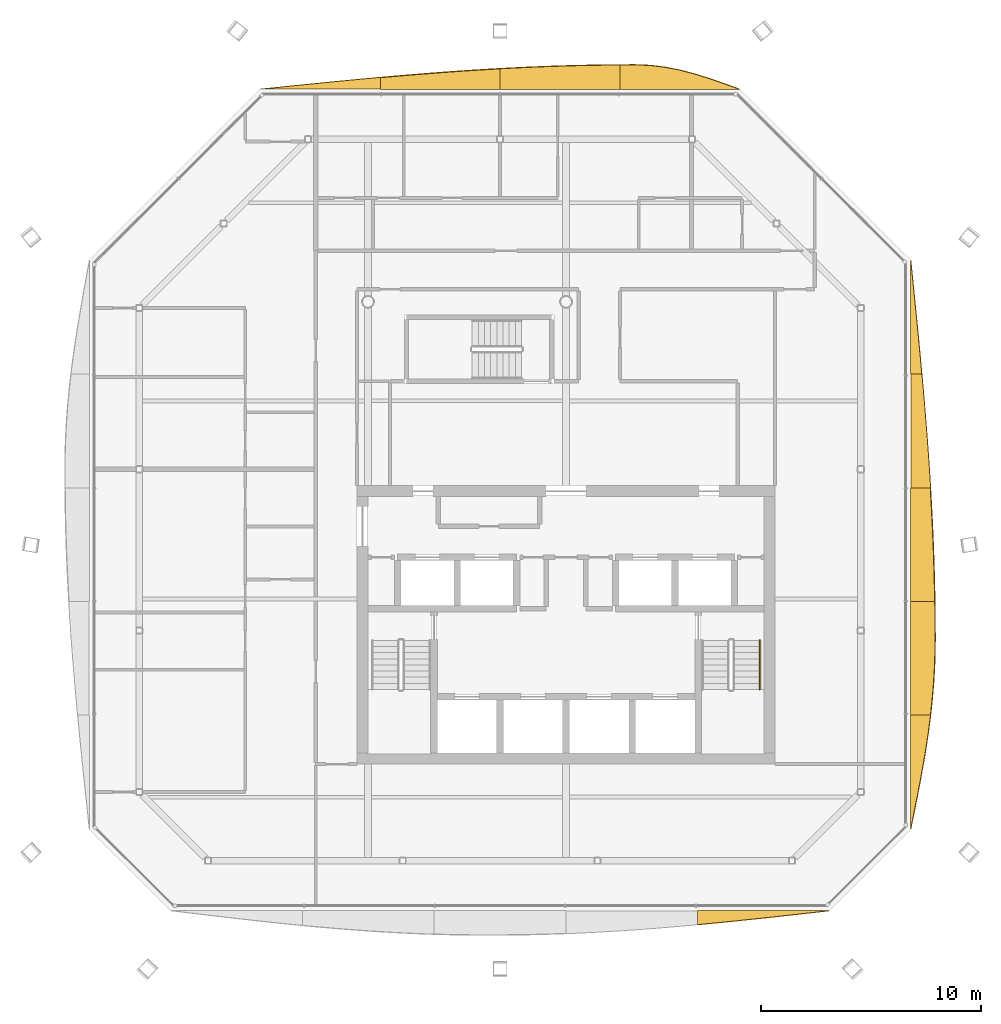
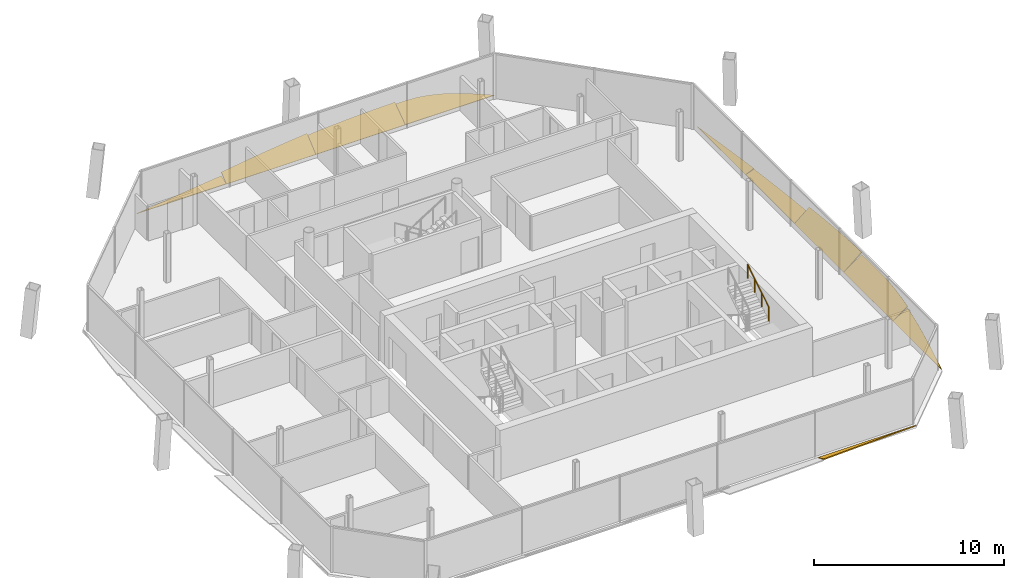
# One storey, part 17 of 17: 10 shading devices, 1 railing.
"""IFC4 building model written with IfcOpenShell, lengths in metres."""

from ifc_helpers import new_model, si_unit, direction, frame, origin, origin_2d, place, context, subcontext, project, spatial, polyline, circle, outline, extrude, material, layer, layer_set, type_object, element, save


model = new_model("IFC4")

# Units and contexts
model_context = context("Model", 3, precision=1e-05, world=origin(), true_north=direction((0.0, 1.0)))
body_context = subcontext(model_context, "Body", "Model", "MODEL_VIEW")
ifc_project = project(units=[si_unit("LENGTHUNIT", "METRE"), si_unit("AREAUNIT", "SQUARE_METRE"), si_unit("VOLUMEUNIT", "CUBIC_METRE"), si_unit("PLANEANGLEUNIT", "RADIAN"), si_unit("MASSUNIT", "GRAM", prefix="KILO")], contexts=[model_context])

# Site, building, storey
site_placement = place(None, origin())
site = spatial("IfcSite", under=ifc_project, at=site_placement, CompositionType="ELEMENT")
building_placement = place(site_placement, origin())
building = spatial("IfcBuilding", under=site, at=building_placement, Name="Tskaro Facet Tower", CompositionType="ELEMENT")
storey_placement = place(building_placement, frame((0.0, 0.0, 229.800048828125)))
storey = spatial("IfcBuildingStorey", under=building, at=storey_placement, Name="L59", CompositionType="ELEMENT", Elevation=229.800048828125)

# Shading devices
ifc_material_1 = material(Name="Bronze anodised aluminium 6063-T6", Category="aluminium")
ifc_layer = layer(ifc_material_1, 0.06005859375, Name="Bronze anodised aluminium 6063-T6")
ifc_layer_set = layer_set([ifc_layer], Name="Bronze anodised aluminium 6063-T6")
shading_device_type = type_object("IfcShadingDeviceType", Name="Bronze sun blade (FN1)", PredefinedType="USERDEFINED", material=ifc_layer_set)
shading_device_1_placement = place(storey_placement, frame((5.96875, -18.66162109375, 0.054443359375), z_axis=(-6.642649e-06, 0.422403980151, 0.906407677322), x_axis=(0.999999999978, 2.805881e-06, 6.020948e-06)))
element("IfcShadingDevice", 1, at=shading_device_1_placement, inside=storey, type_object=shading_device_type, Name="Fin blade south 5", ObjectType="FIN", PredefinedType="USERDEFINED", context=body_context, shape_type="SweptSolid", body=[
    extrude(outline(polyline([(0.0, 0.0), (5.979248046743083, 2.532310047754525e-21), (5.231933593962589, -0.09294865466036126), (4.484374999772172, -0.1855728924121526), (3.737060546691981, -0.2768844235362508), (2.9897460933120934, -0.3665588311240859), (2.242187499692545, -0.45437482423880676), (1.494873047668456, -0.5395654040981412), (0.7475585935750159, -0.6213786109132309), (-2.7285326324970186e-10, -0.7000206966275131), (0.0, 0.0)])), origin(), (0.0, 0.0, -1.0), 0.06005859375),
])
shading_device_2_placement = place(storey_placement, frame((15.656982421875, -14.947998046875, 0.052001953125), z_axis=(-0.499859158229, -7.948533e-06, 0.866106703514), x_axis=(-3.973147e-06, 0.999999999968, 6.884278e-06)))
element("IfcShadingDevice", 2, at=shading_device_2_placement, inside=storey, type_object=shading_device_type, Name="Fin blade east 1", ObjectType="FIN", PredefinedType="USERDEFINED", context=body_context, shape_type="SweptSolid", body=[
    extrude(outline(polyline([(0.0, 0.0), (5.1662597654618, -4.375992235558655e-21), (5.166259765769933, -1.0427070310671658), (4.4282226561047064, -0.9319043056244863), (3.6901855467842664, -0.8039317609790301), (2.952148438192939, -0.6616361310138241), (2.214111327612867, -0.50707513816614), (1.4760742187898384, -0.3433395881736163), (0.7380371087467159, -0.17303214306466885), (0.0, 0.0)])), origin(), (0.0, 0.0, -1.0), 0.06005859375),
])
shading_device_3_placement = place(storey_placement, frame((15.652587890625, -9.78173828125, 0.049072265625), z_axis=(-0.573595841525, 4.611992e-06, 0.819138456285), x_axis=(2.645419e-06, 0.999999999989, -3.77786e-06)))
element("IfcShadingDevice", 3, at=shading_device_3_placement, inside=storey, type_object=shading_device_type, Name="Fin blade east 2", ObjectType="FIN", PredefinedType="USERDEFINED", context=body_context, shape_type="SweptSolid", body=[
    extrude(outline(polyline([(0.0, 0.0), (5.1662597655700555, 0.0), (5.166259765379167, -1.3415322959670977), (4.428222655651596, -1.3529127522806907), (3.690185547487729, -1.358392923366614), (3.4096679690892375, -1.3587329463885438), (2.9521484376560534, -1.3539927682739121), (2.2141113281758398, -1.3262916925574133), (1.476074218954182, -1.2744096651985775), (0.7380371091616564, -1.1993667552631933), (-4.6297798781457923e-10, -1.1022429787444827), (0.0, 0.0)])), origin(), (0.0, 0.0, -1.0), 0.06005859375),
])
shading_device_4_placement = place(storey_placement, frame((15.6484375, -4.615478515625, 0.0458984375), z_axis=(-0.642786784792, -5.620325e-06, 0.766045135267), x_axis=(-3.612671e-06, 0.999999999984, 4.305423e-06)))
element("IfcShadingDevice", 4, at=shading_device_4_placement, inside=storey, type_object=shading_device_type, Name="Fin blade east 3", ObjectType="FIN", PredefinedType="USERDEFINED", context=body_context, shape_type="SweptSolid", body=[
    extrude(outline(polyline([(0.0, 0.0), (5.166015624918408, 0.0), (5.166015625552046, -1.173876510022906), (4.427978515847274, -1.2286423938801803), (3.6899414064206963, -1.2780318660463017), (2.951904296052055, -1.3215440430483982), (2.2138671875564793, -1.358961809777643), (1.4758300781188403, -1.390502281342863), (0.7377929684520086, -1.4156344819004645), (2.3210947603751587e-10, -1.4345153418178311), (0.0, 0.0)])), origin(), (0.0, 0.0, -1.0), 0.06005859375),
])
shading_device_5_placement = place(storey_placement, frame((15.66650390625, 0.550537109375, 0.056396484375), z_axis=(-0.341923455295, -6.287111e-06, 0.939727806697), x_axis=(-2.149711e-06, 0.99999999998, 5.908173e-06)))
element("IfcShadingDevice", 5, at=shading_device_5_placement, inside=storey, type_object=shading_device_type, Name="Fin blade east 4", ObjectType="FIN", PredefinedType="USERDEFINED", context=body_context, shape_type="SweptSolid", body=[
    extrude(outline(polyline([(0.0, 0.0), (5.166259765522895, 0.0), (5.166259765924209, -0.5367685759427114), (4.428222655824124, -0.6063519810608877), (3.6901855466450826, -0.6733906966202113), (2.952148437994322, -0.7373423937464797), (2.2141113275118225, -0.7978106918934723), (1.4760742186072673, -0.8547331201392869), (0.7380371098382308, -0.9080262010778438), (-1.0564200446909087e-10, -0.9568347026947998), (0.0, 0.0)])), origin(), (0.0, 0.0, -1.0), 0.06005859375),
])
shading_device_6_placement = place(storey_placement, frame((15.66162109375, 5.716796875, 0.054443359375), z_axis=(-0.422080155485, 4.7185593e-05, 0.906558514449), x_axis=(1.9916102e-05, 0.999999998887, -4.2776501e-05)))
element("IfcShadingDevice", 6, at=shading_device_6_placement, inside=storey, type_object=shading_device_type, Name="Fin blade east 5", ObjectType="FIN", PredefinedType="USERDEFINED", context=body_context, shape_type="SweptSolid", body=[
    extrude(outline(polyline([(0.0, 0.0), (5.1662597598737126, 3.500793788446924e-20), (4.428222656218809, -0.08235895700090061), (3.690185547701575, -0.16449658623923827), (2.952148435040834, -0.24586718527681217), (2.2141113238177375, -0.3261463794379844), (1.476074214751108, -0.4047884662845542), (0.7380371078409453, -0.4817934458165216), (-1.1499739327531358e-08, -0.5564973347461977), (0.0, 0.0)])), origin(), (0.0, 0.0, -1.0), 0.06005859375),
])
shading_device_7_placement = place(storey_placement, frame((7.883056640625, 18.656982421875, 0.052001953125), z_axis=(-1.2427233e-05, -0.499944082222, 0.866057685433), x_axis=(-0.999999999923, 6.212921e-06, -1.07627e-05)))
element("IfcShadingDevice", 7, at=shading_device_7_placement, inside=storey, type_object=shading_device_type, Name="Fin blade north 1", ObjectType="FIN", PredefinedType="USERDEFINED", context=body_context, shape_type="SweptSolid", body=[
    extrude(outline(polyline([(0.0, 0.0), (5.441650390204806, 0.0), (5.441650391655334, -1.282572175058272), (4.7614746083436215, -1.2852074738041357), (4.7451171864698845, -1.2852074738041357), (4.081298828462419, -1.2541374624101869), (3.4008789045214805, -1.160081668769845), (2.720703123646707, -1.0072775273420493), (2.040527343014848, -0.8037203175683068), (1.3603515631625849, -0.5592515679246166), (0.6801757829184023, -0.28689304202279753), (0.0, 0.0)])), origin(), (0.0, 0.0, -1.0), 0.06005859375),
])
shading_device_8_placement = place(storey_placement, frame((2.44140625, 18.652587890625, 0.049072265625), z_axis=(5.100512e-06, -0.573607392874, 0.819130367411), x_axis=(-0.999999999987, -2.925691e-06, 4.177984e-06)))
element("IfcShadingDevice", 8, at=shading_device_8_placement, inside=storey, type_object=shading_device_type, Name="Fin blade north 2", ObjectType="FIN", PredefinedType="USERDEFINED", context=body_context, shape_type="SweptSolid", body=[
    extrude(outline(polyline([(0.0, 0.0), (5.44140624992922, 0.0), (5.44140625001585, -1.1466046972393429), (4.761230468531401, -1.1900863836937905), (4.08105468725526, -1.2288278926090688), (3.4008789061874287, -1.2628292239851782), (2.7207031250221703, -1.291750353954857), (2.0405273437594866, -1.315591282518105), (1.360351562399377, -1.3343520096749228), (0.6801757816561208, -1.3478325524254513), (-2.0457709826386374e-10, -1.3560928529021465), (0.0, 0.0)])), origin(), (0.0, 0.0, -1.0), 0.06005859375),
])
shading_device_9_placement = place(storey_placement, frame((-3.0, 18.6484375, 0.0458984375), z_axis=(6.456579e-06, -0.642835311783, 0.766004413749), x_axis=(-0.999999999979, -4.150517e-06, 4.945768e-06)))
element("IfcShadingDevice", 9, at=shading_device_9_placement, inside=storey, type_object=shading_device_type, Name="Fin blade north 3", ObjectType="FIN", PredefinedType="USERDEFINED", context=body_context, shape_type="SweptSolid", body=[
    extrude(outline(polyline([(0.0, 0.0), (5.441406249886581, 0.0), (5.441406249624049, -0.6992366925824749), (4.761230468045522, -0.7779158917381965), (4.081054687953701, -0.853282412415943), (3.4008789061145017, -0.9255533379935785), (2.720703125373701, -0.9938236750709918), (2.0405273437046785, -1.0584674492408417), (1.3603515629399026, -1.1187666798993456), (0.6801757808585991, -1.1747514376280392), (-5.126120613216332e-10, -1.226047696834264), (0.0, 0.0)])), origin(), (0.0, 0.0, -1.0), 0.06005859375),
])
shading_device_10_placement = place(storey_placement, frame((-8.44140625, 18.66650390625, 0.056396484375), z_axis=(9.708763e-06, -0.34190300495, 0.93973524735), x_axis=(-0.999999999953, -3.319455e-06, 9.123667e-06)))
element("IfcShadingDevice", 10, at=shading_device_10_placement, inside=storey, type_object=shading_device_type, Name="Fin blade north 4", ObjectType="FIN", PredefinedType="USERDEFINED", context=body_context, shape_type="SweptSolid", body=[
    extrude(outline(polyline([(0.0, 0.0), (5.441650390368535, 2.3046285841493042e-21), (4.761474609027825, -0.07429741046660955), (4.081298828497529, -0.14836539338258575), (3.401123045943559, -0.22157814882001822), (2.720947265010416, -0.294332049156184), (2.0407714844848424, -0.365542439361906), (1.3603515621210192, -0.43566817453845086), (0.6801757824105805, -0.5037915444832853), (-5.367918966275565e-10, -0.5699750319203989), (0.0, 0.0)])), origin(), (0.0, 0.0, -1.0), 0.06005859375),
])

# Railing
ifc_material_2 = material(Name="Stainless steel", Category="steel")
railing_type = type_object("IfcRailingType", Name="RL-HANDRAIL-900", PredefinedType="HANDRAIL", material=ifc_material_2)
railing_placement = place(storey_placement, frame((8.800048828125, -8.614990234375, 1.75)))
element("IfcRailing", 11, at=railing_placement, inside=storey, type_object=railing_type, Name="L59 ST-2 stair handrail 2", PredefinedType="HANDRAIL", context=body_context, shape_type="SweptSolid", body=[
    extrude(circle(Radius=0.02392578125, at=origin_2d()), frame((0.0, 0.0, 0.8759765625), z_axis=(0.0, 0.848013881152, 0.529974015752), x_axis=(-1.0, 0.0, 0.0)), (0.0, 0.0, 1.0), 2.641357421875),
    extrude(circle(Radius=0.02099609375, at=origin_2d()), origin(), (0.0, 0.0, 1.0), 0.851806640625),
    extrude(circle(Radius=0.02099609375, at=origin_2d()), frame((0.0, 0.74658203125, 0.466552734375)), (0.0, 0.0, 1.0), 0.851806640625),
    extrude(circle(Radius=0.02099609375, at=origin_2d()), frame((0.0, 1.493408203125, 0.933349609375)), (0.0, 0.0, 1.0), 0.851806640625),
    extrude(circle(Radius=0.02099609375, at=origin_2d()), frame((0.0, 2.239990234375, 1.39990234375)), (0.0, 0.0, 1.0), 0.851806640625),
])

save(model, "model.ifc")
